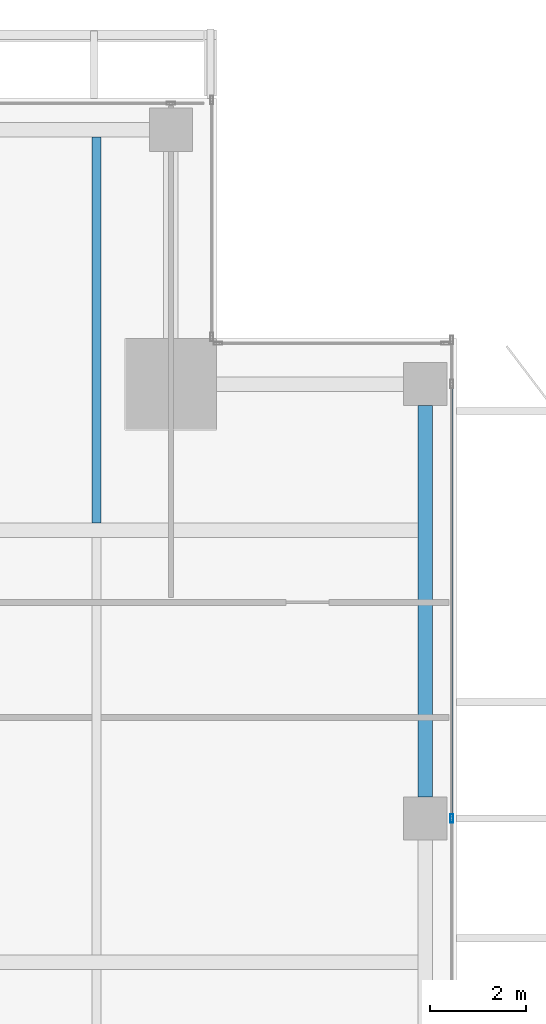
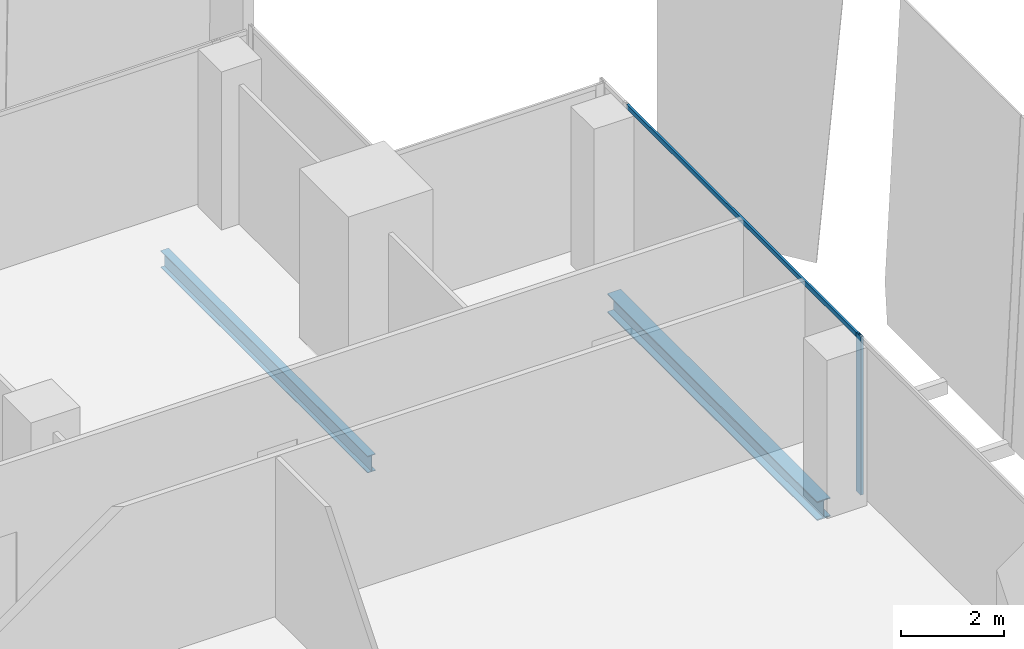
# One storey, part 19 of 35: 2 beams, 2 members, 1 element without a shape of its own.
"""IFC4 building model written with IfcOpenShell, lengths in metres."""

from ifc_helpers import new_model, si_unit, direction, frame, origin, origin_2d, place, context, subcontext, project, spatial, hollow_rectangle, i_section, extrude, source, transform, mapped, material, material_profile, profile_set, type_object, element, aggregate, save


model = new_model("IFC4")

# Units and contexts
model_context = context("Model", 3, precision=1e-05, world=origin(), true_north=direction((0.0, 1.0)))
body_context = subcontext(model_context, "Body", "Model", "MODEL_VIEW")
ifc_project = project(units=[si_unit("LENGTHUNIT", "METRE"), si_unit("AREAUNIT", "SQUARE_METRE"), si_unit("VOLUMEUNIT", "CUBIC_METRE"), si_unit("PLANEANGLEUNIT", "RADIAN"), si_unit("MASSUNIT", "GRAM", prefix="KILO")], contexts=[model_context])

# Site, building, storey
site_placement = place(None, origin())
site = spatial("IfcSite", under=ifc_project, at=site_placement, CompositionType="ELEMENT")
building_placement = place(site_placement, origin())
building = spatial("IfcBuilding", under=site, at=building_placement, Name="Khomas Fold Tower", CompositionType="ELEMENT")
storey_placement = place(building_placement, frame((0.0, 0.0, 266.199951171875)))
storey = spatial("IfcBuildingStorey", under=building, at=storey_placement, Name="L60", CompositionType="ELEMENT", Elevation=266.199951171875)

# Beams
ifc_material_1 = material(Name="Steel S355", Category="steel")
ifc_material_profile_1 = material_profile(ifc_material_1, i_section(OverallWidth=0.300048828125, OverallDepth=0.449951171875, WebThickness=0.013916015625, FlangeThickness=0.02587890625, at=origin_2d()), Name="HE 450 B")
ifc_profile_set_1 = profile_set([ifc_material_profile_1], Name="Steel S355")
beam_type_1 = type_object("IfcBeamType", Name="HE 450 B spandrel SB4", PredefinedType="SPANDREL", material=ifc_profile_set_1)
shared_shape_1 = source(origin(), body_context, "Body", "SweptSolid", [
    extrude(i_section(OverallWidth=0.300048828125, OverallDepth=0.449951171875, WebThickness=0.013916015625, FlangeThickness=0.02587890625, at=origin_2d()), origin(), (0.0, 0.0, 1.0), 8.150146484375),
])
beam_1_placement = place(storey_placement, frame((48.85009765625, 34.949951171875, -0.474853515625), z_axis=(0.0, 1.0, 0.0), x_axis=(-1.0, 0.0, 0.0)))
element("IfcBeam", 1, at=beam_1_placement, inside=storey, type_object=beam_type_1, Name="SB4", PredefinedType="SPANDREL", context=body_context, shape_type="MappedRepresentation", body=[
    mapped(shared_shape_1, transform((0.0, 0.0, 0.0))),
])
ifc_material_2 = material(Name="Steel S355", Category="steel")
ifc_material_profile_2 = material_profile(ifc_material_2, i_section(OverallWidth=0.179931640625, OverallDepth=0.39990234375, WebThickness=0.008544921875, FlangeThickness=0.013427734375, at=origin_2d()), Name="IPE 400")
ifc_profile_set_2 = profile_set([ifc_material_profile_2], Name="Steel S355")
beam_type_2 = type_object("IfcBeamType", Name="IPE 400 beam JB3", PredefinedType="BEAM", material=ifc_profile_set_2)
shared_shape_2 = source(origin(), body_context, "Body", "SweptSolid", [
    extrude(i_section(OverallWidth=0.179931640625, OverallDepth=0.39990234375, WebThickness=0.008544921875, FlangeThickness=0.013427734375, at=origin_2d()), origin(), (0.0, 0.0, 1.0), 8.050048828125),
])
beam_2_placement = place(storey_placement, frame((42.0, 40.64990234375, -0.449951171875), z_axis=(0.0, 1.0, 0.0), x_axis=(-1.0, 0.0, 0.0)))
element("IfcBeam", 2, at=beam_2_placement, inside=storey, type_object=beam_type_2, Name="JB3", PredefinedType="BEAM", context=body_context, shape_type="MappedRepresentation", body=[
    mapped(shared_shape_2, transform((0.0, 0.0, 0.0))),
])

# Curtain wall, members
ifc_material_3 = material(Name="Aluminium framed double glazing", Category="aluminium")
curtain_wall_type = type_object("IfcCurtainWallType", Name="SK-Unitised clear-glass wall, office floors CW2", PredefinedType="NOTDEFINED", material=ifc_material_3)
curtain_wall_placement = place(storey_placement, origin())
curtain_wall = element("IfcCurtainWall", 3, at=curtain_wall_placement, inside=storey, type_object=curtain_wall_type, Name="CW2 run L60 03-0", PredefinedType="NOTDEFINED")
ifc_material_4 = material(Name="Aluminium", Category="aluminium")
ifc_material_profile_3 = material_profile(ifc_material_4, hollow_rectangle(XDim=0.06005859375, YDim=0.179931640625, WallThickness=0.00390625, at=origin_2d()), Name="SK-Unitised clear-glass wall, office floors mullion CW2-M")
ifc_profile_set_3 = profile_set([ifc_material_profile_3], Name="Aluminium")
member_type_1 = type_object("IfcMemberType", Name="SK-Unitised clear-glass wall, office floors mullion CW2-M", PredefinedType="MULLION", material=ifc_profile_set_3)
shared_shape_3 = source(origin(), body_context, "Body", "SweptSolid", [
    extrude(hollow_rectangle(XDim=0.06005859375, YDim=0.179931640625, WallThickness=0.00390625, at=origin_2d()), origin(), (0.0, 0.0, 1.0), 3.75),
])
member_1_placement = place(storey_placement, frame((49.39990234375, 34.5, 0.0), z_axis=(0.0, 0.0, 1.0), x_axis=(-1.0, 0.0, 0.0)))
member_1 = element("IfcMember", 4, at=member_1_placement, type_object=member_type_1, Name="CW2 mullion 5", PredefinedType="MULLION", context=body_context, shape_type="MappedRepresentation", body=[
    mapped(shared_shape_3, transform((0.0, 0.0, 0.0))),
])
ifc_material_5 = material(Name="Aluminium", Category="aluminium")
ifc_material_profile_4 = material_profile(ifc_material_5, hollow_rectangle(XDim=0.050048828125, YDim=0.110107421875, WallThickness=0.00390625, at=origin_2d()), Name="SK-Unitised clear-glass wall, office floors transom CW2-T")
ifc_profile_set_4 = profile_set([ifc_material_profile_4], Name="Aluminium")
member_type_2 = type_object("IfcMemberType", Name="SK-Unitised clear-glass wall, office floors transom CW2-T", PredefinedType="USERDEFINED", material=ifc_profile_set_4)
shared_shape_4 = source(origin(), body_context, "Body", "SweptSolid", [
    extrude(hollow_rectangle(XDim=0.050048828125, YDim=0.110107421875, WallThickness=0.00390625, at=origin_2d()), origin(), (0.0, 0.0, 1.0), 8.989990234375),
])
member_2_placement = place(storey_placement, frame((49.39990234375, 34.530029296875, 3.695068359375), z_axis=(0.0, 1.0, 0.0), x_axis=(-1.0, 0.0, 0.0)))
member_2 = element("IfcMember", 5, at=member_2_placement, type_object=member_type_2, Name="CW2 transom 5", ObjectType="TRANSOM", PredefinedType="USERDEFINED", context=body_context, shape_type="MappedRepresentation", body=[
    mapped(shared_shape_4, transform((0.0, 0.0, 0.0))),
])
aggregate(curtain_wall, [member_1, member_2])

save(model, "model.ifc")
